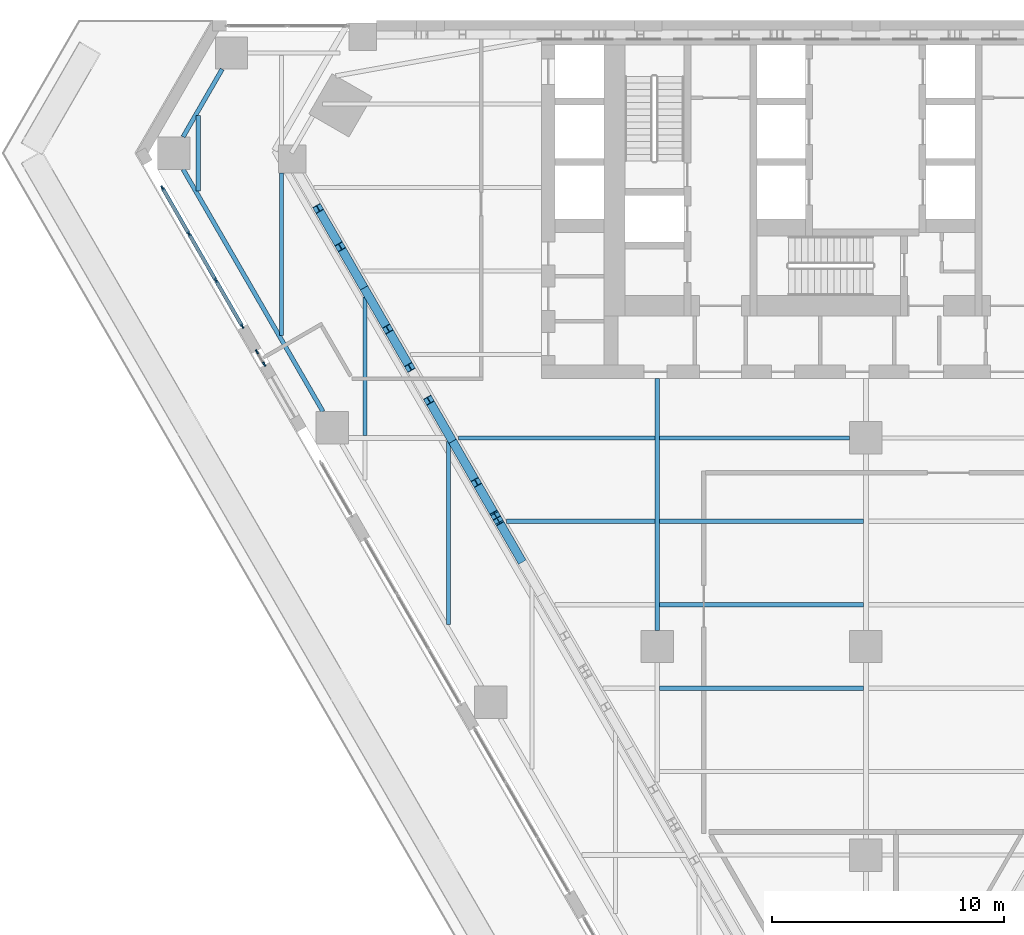
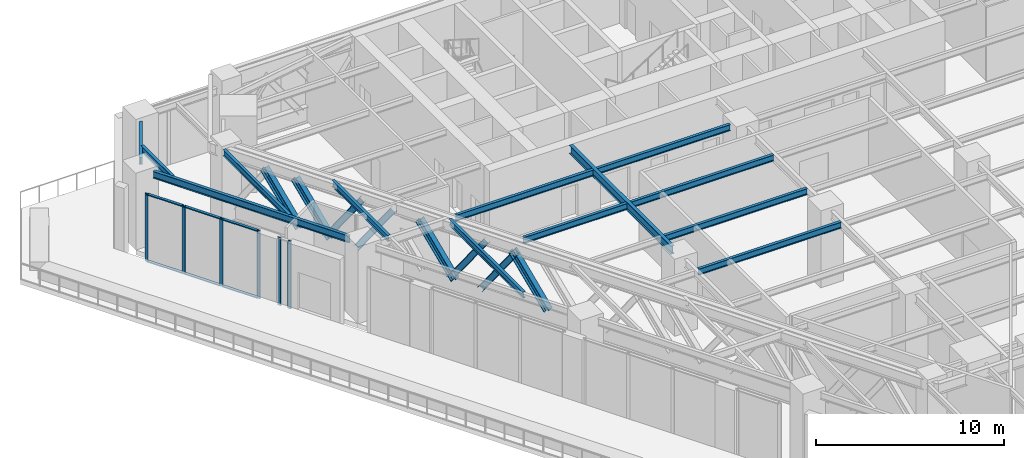
# One storey, part 5 of 25: 20 members, 13 beams, 2 elements without a shape of their own.
"""IFC4 building model written with IfcOpenShell, lengths in metres."""

import ifcopenshell
import ifcopenshell.guid

model = None  # the IFC model being written
_history = None  # IfcOwnerHistory: only IFC2X3 demands one
_inside = {}  # id of a spatial element -> (the spatial element, [elements in it])
_under = {}  # id of a project, library or spatial element -> (it, [spatial elements below it])
_declared = {}  # id of a project -> (the project, [libraries it declares])
_typed = {}  # id of a type object -> (the type object, [elements of that type])
_made_of = {}  # id of a material, layer set ... -> (it, [elements and type objects made of it])


def new_model(schema):
    """Start an empty IFC model of exactly this schema.

    Asked for "IFC4X3", IfcOpenShell would pick the latest addendum, in which some entities
    have other attributes; the version numbers below select the first issue.
    IFC2X3 requires an IfcOwnerHistory on every rooted entity: one is made here for all.
    """
    global model, _history
    if schema == "IFC4X3":
        model = ifcopenshell.file(schema_version=(4, 3, 0, 0))
    else:
        model = ifcopenshell.file(schema=schema)
    _inside.clear()
    _under.clear()
    _declared.clear()
    _typed.clear()
    _made_of.clear()
    _history = None
    if model.schema == "IFC2X3":
        org = make("IfcOrganization", Name="unknown")
        user = make(
            "IfcPersonAndOrganization",
            ThePerson=make("IfcPerson", FamilyName="unknown"),
            TheOrganization=org,
        )
        app = make(
            "IfcApplication",
            ApplicationDeveloper=org,
            Version="unknown",
            ApplicationFullName="unknown",
            ApplicationIdentifier="unknown",
        )
        _history = make(
            "IfcOwnerHistory",
            OwningUser=user,
            OwningApplication=app,
            ChangeAction="ADDED",
            CreationDate=0,
        )
    return model


def make(cls, **values):
    """One entity of the class cls with the attributes given. An attribute that is None is left unset."""
    return model.create_entity(
        cls, **{name: value for name, value in values.items() if value is not None}
    )


def rooted(cls, **values):
    """An entity with a GlobalId (a new one), such as an element, a storey or a relation."""
    return make(cls, GlobalId=ifcopenshell.guid.new(), OwnerHistory=_history, **values)


def si_unit(unit_type, name, prefix=None):
    """IfcSIUnit, for example si_unit("LENGTHUNIT", "METRE", prefix="MILLI")."""
    return make("IfcSIUnit", UnitType=unit_type, Prefix=prefix, Name=name)


def assignment(units):
    """IfcUnitAssignment: the units of a project."""
    return None if units is None else make("IfcUnitAssignment", Units=units)


def point(xyz):
    """IfcCartesianPoint."""
    return None if xyz is None else make("IfcCartesianPoint", Coordinates=xyz)


def direction(xyz):
    """IfcDirection."""
    return None if xyz is None else make("IfcDirection", DirectionRatios=xyz)


def frame(location, z_axis=None, x_axis=None):
    """IfcAxis2Placement3D, a coordinate frame: its origin and axes. An axis left out is left unset."""
    return make(
        "IfcAxis2Placement3D",
        Location=point(location),
        Axis=direction(z_axis),
        RefDirection=direction(x_axis),
    )


def frame_2d(location, x_axis=None):
    """IfcAxis2Placement2D, a coordinate frame in the plane: its origin and x axis."""
    return make(
        "IfcAxis2Placement2D", Location=point(location), RefDirection=direction(x_axis)
    )


def origin():
    """The frame at (0, 0, 0) with its axes left unset."""
    return frame((0.0, 0.0, 0.0))


def origin_2d():
    """The frame at (0, 0) in the plane with its x axis left unset."""
    return frame_2d((0.0, 0.0))


def place(relative_to, where):
    """IfcLocalPlacement: puts the frame where relative to a parent placement (None: the world)."""
    return make(
        "IfcLocalPlacement", PlacementRelTo=relative_to, RelativePlacement=where
    )


def context(
    kind, dimensions, precision=None, world=None, true_north=None, identifier=None
):
    """IfcGeometricRepresentationContext, for example the 3D "Model" context."""
    return make(
        "IfcGeometricRepresentationContext",
        ContextIdentifier=identifier,
        ContextType=kind,
        CoordinateSpaceDimension=dimensions,
        Precision=precision,
        WorldCoordinateSystem=world,
        TrueNorth=true_north,
    )


def subcontext(parent, identifier, kind, view, scale=None):
    """IfcGeometricRepresentationSubContext, for example "Body" below "Model"."""
    return make(
        "IfcGeometricRepresentationSubContext",
        ContextIdentifier=identifier,
        ContextType=kind,
        ParentContext=parent,
        TargetScale=scale,
        TargetView=view,
    )


def project(units=None, contexts=None):
    """IfcProject with its units and contexts."""
    return rooted(
        "IfcProject",
        Name="project",
        RepresentationContexts=contexts,
        UnitsInContext=assignment(units),
    )


def spatial(cls, under=None, at=None, **own):
    """A site, building, storey or space (cls), placed at a placement, below another one or the project."""
    s = rooted(cls, ObjectPlacement=at, **own)
    if under is not None:
        _under.setdefault(under.id(), (under, []))[1].append(s)
    return s


def profile(cls, at=None, kind="AREA", **sizes):
    """A parametric profile (cls). Its sizes go by their IFC names, for example OverallWidth=200.0."""
    return make(cls, ProfileType=kind, Position=at, **sizes)


def rectangle(**sizes):
    """IfcRectangleProfileDef."""
    return profile("IfcRectangleProfileDef", **sizes)


def i_section(**sizes):
    """IfcIShapeProfileDef."""
    return profile("IfcIShapeProfileDef", **sizes)


def extrude(swept, where, along, depth):
    """IfcExtrudedAreaSolid: the profile swept, set in the frame where, extruded along a direction by depth."""
    return make(
        "IfcExtrudedAreaSolid",
        SweptArea=swept,
        Position=where,
        ExtrudedDirection=direction(along),
        Depth=depth,
    )


def shape(context_of_items, identifier, shape_type, items):
    """IfcShapeRepresentation: the items that make up one representation, for example the "Body"."""
    return make(
        "IfcShapeRepresentation",
        ContextOfItems=context_of_items,
        RepresentationIdentifier=identifier,
        RepresentationType=shape_type,
        Items=items,
    )


def material(Name=None, Category=None):
    """IfcMaterial."""
    return make("IfcMaterial", Name=Name, Category=Category)


def material_profile(
    of_material, cross_section, Name=None, Category=None, Priority=None
):
    """IfcMaterialProfile: a cross section and its material."""
    return make(
        "IfcMaterialProfile",
        Name=Name,
        Material=of_material,
        Profile=cross_section,
        Priority=Priority,
        Category=Category,
    )


def profile_set(profiles, Name=None, composite=None):
    """IfcMaterialProfileSet."""
    return make(
        "IfcMaterialProfileSet",
        Name=Name,
        MaterialProfiles=profiles,
        CompositeProfile=composite,
    )


def made_of(thing, what):
    """Note that an element or type object is made of a material, layer set ...; save() writes the relation."""
    if what is not None:
        _made_of.setdefault(what.id(), (what, []))[1].append(thing)
    return thing


def type_object(cls, material=None, **own):
    """A type object (cls), such as IfcWallType, which elements share."""
    return made_of(rooted(cls, **own), material)


def element(
    cls,
    number,
    at=None,
    inside=None,
    cuts=None,
    type_object=None,
    material=None,
    context=None,
    identifier="Body",
    shape_type=None,
    held_by="IfcProductDefinitionShape",
    body=None,
    shapes=None,
    **own,
):
    """One element of the class cls, such as IfcWall. Its Tag is "e" and its number.

    at: its placement. inside: the storey or other place that contains it. cuts: it is an
    opening in that element (IfcRelVoidsElement). A single representation is given by context,
    identifier, shape_type and body (its items); several are given by shapes. held_by: the class
    of the entity that holds the representations. save() writes the other relations.
    """
    e = rooted(cls, Tag="e%d" % number, ObjectPlacement=at, **own)
    if body is not None:
        shapes = [shape(context, identifier, shape_type, body)]
    if shapes is not None:
        e.Representation = make(held_by, Representations=shapes)
    if inside is not None:
        _inside.setdefault(inside.id(), (inside, []))[1].append(e)
    if cuts is not None:
        rooted(
            "IfcRelVoidsElement", RelatingBuildingElement=cuts, RelatedOpeningElement=e
        )
    if type_object is not None:
        _typed.setdefault(type_object.id(), (type_object, []))[1].append(e)
    return made_of(e, material)


def aggregate(whole, parts):
    """IfcRelAggregates: a whole, such as a stair, and the parts it consists of."""
    return rooted("IfcRelAggregates", RelatingObject=whole, RelatedObjects=parts)


def save(model, path):
    """Write the relations noted so far, then the file.

    IfcRelAggregates (storeys below a building ...), IfcRelContainedInSpatialStructure (elements
    in a storey), IfcRelDefinesByType, IfcRelAssociatesMaterial and IfcRelDeclares: one each for
    every whole, place, type object, material and project.
    """
    for whole, parts in _under.values():
        aggregate(whole, parts)
    for where, things in _inside.values():
        rooted(
            "IfcRelContainedInSpatialStructure",
            RelatedElements=things,
            RelatingStructure=where,
        )
    for kind, things in _typed.values():
        rooted("IfcRelDefinesByType", RelatedObjects=things, RelatingType=kind)
    for what, things in _made_of.values():
        rooted("IfcRelAssociatesMaterial", RelatedObjects=things, RelatingMaterial=what)
    for by, libraries in _declared.values():
        rooted("IfcRelDeclares", RelatingContext=by, RelatedDefinitions=libraries)
    model.write(path)


model = new_model("IFC4")

# Units and contexts
model_context = context("Model", 3, precision=1e-05, world=origin(), true_north=direction((0.0, 1.0)))
body_context = subcontext(model_context, "Body", "Model", "MODEL_VIEW")
ifc_project = project(units=[si_unit("LENGTHUNIT", "METRE"), si_unit("AREAUNIT", "SQUARE_METRE"), si_unit("VOLUMEUNIT", "CUBIC_METRE"), si_unit("PLANEANGLEUNIT", "RADIAN"), si_unit("MASSUNIT", "GRAM", prefix="KILO")], contexts=[model_context])

# Site, building, storey
site_placement = place(None, origin())
site = spatial("IfcSite", under=ifc_project, at=site_placement, CompositionType="ELEMENT")
building_placement = place(site_placement, origin())
building = spatial("IfcBuilding", under=site, at=building_placement, Name="Aloe Facet Convention Tower", CompositionType="ELEMENT")
storey_placement = place(building_placement, frame((0.0, 0.0, 30.0)))
storey = spatial("IfcBuildingStorey", under=building, at=storey_placement, Name="L05", CompositionType="ELEMENT", Elevation=30.0)

# Curtain wall, members
ifc_material_1 = material(Name="Aluminium, anodised", Category="aluminium")
curtain_wall_type = type_object("IfcCurtainWallType", Name="EV-CW-HALL", PredefinedType="USERDEFINED", material=ifc_material_1)
curtain_wall_1_placement = place(storey_placement, origin())
curtain_wall_1 = element("IfcCurtainWall", 1, at=curtain_wall_1_placement, inside=storey, type_object=curtain_wall_type, Name="CW-L05-W02", ObjectType="UNITISED HALL GLAZING", PredefinedType="USERDEFINED")
ifc_material_2 = material(Name="Aluminium, anodised", Category="aluminium")
ifc_material_profile_1 = material_profile(ifc_material_2, rectangle(XDim=0.06494140625, YDim=0.199951171875, at=origin_2d()), Name="AL 65x200")
ifc_profile_set_1 = profile_set([ifc_material_profile_1], Name="Aluminium, anodised")
member_type_1 = type_object("IfcMemberType", Name="EV-MULL-HALL", PredefinedType="MULLION", material=ifc_profile_set_1)
member_1_placement = place(storey_placement, frame((49.654052734375, 127.78125, -0.300048828125), z_axis=(0.0, 0.0, 1.0), x_axis=(0.866025403741, 0.500000000076, 0.0)))
member_1 = element("IfcMember", 2, at=member_1_placement, type_object=member_type_1, Name="CW-L05-W02 mullion 1", PredefinedType="MULLION", context=body_context, shape_type="SweptSolid", body=[
    extrude(rectangle(XDim=0.06494140625, YDim=0.199951171875, at=origin_2d()), origin(), (0.0, 0.0, 1.0), 4.41259765625),
])
member_2_placement = place(storey_placement, frame((50.797607421875, 125.80078125, -0.300048828125), z_axis=(0.0, 0.0, 1.0), x_axis=(0.866025403741, 0.500000000076, 0.0)))
member_2 = element("IfcMember", 3, at=member_2_placement, type_object=member_type_1, Name="CW-L05-W02 mullion 2", PredefinedType="MULLION", context=body_context, shape_type="SweptSolid", body=[
    extrude(rectangle(XDim=0.06494140625, YDim=0.199951171875, at=origin_2d()), origin(), (0.0, 0.0, 1.0), 4.41259765625),
])
member_3_placement = place(storey_placement, frame((51.957275390625, 123.7919921875, -0.300048828125), z_axis=(0.0, 0.0, 1.0), x_axis=(0.866025403741, 0.500000000076, 0.0)))
member_3 = element("IfcMember", 4, at=member_3_placement, type_object=member_type_1, Name="CW-L05-W02 mullion 3", PredefinedType="MULLION", context=body_context, shape_type="SweptSolid", body=[
    extrude(rectangle(XDim=0.06494140625, YDim=0.199951171875, at=origin_2d()), origin(), (0.0, 0.0, 1.0), 4.41259765625),
])
member_4_placement = place(storey_placement, frame((53.1005859375, 121.8115234375, -0.300048828125), z_axis=(0.0, 0.0, 1.0), x_axis=(0.866025403741, 0.500000000076, 0.0)))
member_4 = element("IfcMember", 5, at=member_4_placement, type_object=member_type_1, Name="CW-L05-W02 mullion 4", PredefinedType="MULLION", context=body_context, shape_type="SweptSolid", body=[
    extrude(rectangle(XDim=0.06494140625, YDim=0.199951171875, at=origin_2d()), origin(), (0.0, 0.0, 1.0), 4.41259765625),
])

curtain_wall_2_placement = place(storey_placement, origin())
curtain_wall_2 = element("IfcCurtainWall", 6, at=curtain_wall_2_placement, inside=storey, type_object=curtain_wall_type, Name="CW-L05-W04A", ObjectType="UNITISED HALL GLAZING", PredefinedType="USERDEFINED")
member_5_placement = place(storey_placement, frame((53.733154296875, 120.716064453125, -0.300048828125), z_axis=(0.0, 0.0, 1.0), x_axis=(0.86602540354, 0.500000000423, 0.0)))
member_5 = element("IfcMember", 7, at=member_5_placement, type_object=member_type_1, Name="CW-L05-W04A mullion 1", PredefinedType="MULLION", context=body_context, shape_type="SweptSolid", body=[
    extrude(rectangle(XDim=0.06494140625, YDim=0.199951171875, at=origin_2d()), origin(), (0.0, 0.0, 1.0), 4.41259765625),
])
member_6_placement = place(storey_placement, frame((54.048583984375, 120.169921875, -0.300048828125), z_axis=(0.0, 0.0, 1.0), x_axis=(0.86602540354, 0.500000000423, 0.0)))
member_6 = element("IfcMember", 8, at=member_6_placement, type_object=member_type_1, Name="CW-L05-W04A mullion 2", PredefinedType="MULLION", context=body_context, shape_type="SweptSolid", body=[
    extrude(rectangle(XDim=0.06494140625, YDim=0.199951171875, at=origin_2d()), origin(), (0.0, 0.0, 1.0), 4.41259765625),
])
aggregate(curtain_wall_2, [member_5, member_6])

# Member
ifc_material_3 = material(Name="Aluminium, anodised", Category="aluminium")
ifc_material_profile_2 = material_profile(ifc_material_3, rectangle(XDim=0.159912109375, YDim=0.06494140625, at=origin_2d()), Name="AL 160x65")
ifc_profile_set_2 = profile_set([ifc_material_profile_2], Name="Aluminium, anodised")
member_type_2 = type_object("IfcMemberType", Name="EV-TRAN-HALL", PredefinedType="USERDEFINED", material=ifc_profile_set_2)
member_7_placement = place(storey_placement, frame((49.67041015625, 127.7529296875, -0.267578125), z_axis=(0.499991966744, -0.866030041738, 0.0), x_axis=(0.866030041738, 0.499991966744, 0.0)))
member_7 = element("IfcMember", 9, at=member_7_placement, type_object=member_type_2, Name="CW-L05-W02 transom 1.1", ObjectType="TRANSOM", PredefinedType="USERDEFINED", context=body_context, shape_type="SweptSolid", body=[
    extrude(rectangle(XDim=0.159912109375, YDim=0.06494140625, at=origin_2d()), origin(), (0.0, 0.0, 1.0), 2.2216796875),
])

member_8_placement = place(storey_placement, frame((49.67041015625, 127.7529296875, 4.080078125), z_axis=(0.499991966744, -0.866030041738, 0.0), x_axis=(0.866030041738, 0.499991966744, 0.0)))
member_8 = element("IfcMember", 10, at=member_8_placement, type_object=member_type_2, Name="CW-L05-W02 transom 1.2", ObjectType="TRANSOM", PredefinedType="USERDEFINED", context=body_context, shape_type="SweptSolid", body=[
    extrude(rectangle(XDim=0.159912109375, YDim=0.06494140625, at=origin_2d()), origin(), (0.0, 0.0, 1.0), 2.2216796875),
])

member_9_placement = place(storey_placement, frame((50.813720703125, 125.7724609375, -0.267578125), z_axis=(0.499994306202, -0.866028691075, 0.0), x_axis=(0.866028691075, 0.499994306202, 0.0)))
member_9 = element("IfcMember", 11, at=member_9_placement, type_object=member_type_2, Name="CW-L05-W02 transom 2.1", ObjectType="TRANSOM", PredefinedType="USERDEFINED", context=body_context, shape_type="SweptSolid", body=[
    extrude(rectangle(XDim=0.159912109375, YDim=0.06494140625, at=origin_2d()), origin(), (0.0, 0.0, 1.0), 2.25439453125),
])

member_10_placement = place(storey_placement, frame((50.813720703125, 125.7724609375, 4.080078125), z_axis=(0.499994306202, -0.866028691075, 0.0), x_axis=(0.866028691075, 0.499994306202, 0.0)))
member_10 = element("IfcMember", 12, at=member_10_placement, type_object=member_type_2, Name="CW-L05-W02 transom 2.2", ObjectType="TRANSOM", PredefinedType="USERDEFINED", context=body_context, shape_type="SweptSolid", body=[
    extrude(rectangle(XDim=0.159912109375, YDim=0.06494140625, at=origin_2d()), origin(), (0.0, 0.0, 1.0), 2.25439453125),
])

member_11_placement = place(storey_placement, frame((51.973388671875, 123.763916015625, -0.267578125), z_axis=(0.500026795713, -0.86600993272, 0.0), x_axis=(0.86600993272, 0.500026795713, 0.0)))
member_11 = element("IfcMember", 13, at=member_11_placement, type_object=member_type_2, Name="CW-L05-W02 transom 3.1", ObjectType="TRANSOM", PredefinedType="USERDEFINED", context=body_context, shape_type="SweptSolid", body=[
    extrude(rectangle(XDim=0.159912109375, YDim=0.06494140625, at=origin_2d()), origin(), (0.0, 0.0, 1.0), 2.22216796875),
])

member_12_placement = place(storey_placement, frame((51.973388671875, 123.763916015625, 4.080078125), z_axis=(0.500026795713, -0.86600993272, 0.0), x_axis=(0.86600993272, 0.500026795713, 0.0)))
member_12 = element("IfcMember", 14, at=member_12_placement, type_object=member_type_2, Name="CW-L05-W02 transom 3.2", ObjectType="TRANSOM", PredefinedType="USERDEFINED", context=body_context, shape_type="SweptSolid", body=[
    extrude(rectangle(XDim=0.159912109375, YDim=0.06494140625, at=origin_2d()), origin(), (0.0, 0.0, 1.0), 2.22216796875),
])

aggregate(curtain_wall_1, [member_1, member_2, member_3, member_4, member_7, member_8, member_9, member_10, member_11, member_12])

# Beams
ifc_material_4 = material(Name="Steel S355", Category="steel")
ifc_material_profile_3 = material_profile(ifc_material_4, i_section(OverallWidth=0.177734375, OverallDepth=0.402587890625, WebThickness=0.0078125, FlangeThickness=0.010986328125, FilletRadius=0.01025390625, at=origin_2d()), Name="UB 406x178x54")
ifc_profile_set_3 = profile_set([ifc_material_profile_3], Name="Steel S355")
beam_type_1 = type_object("IfcBeamType", Name="SF-B-UB406x178x54", PredefinedType="BEAM", material=ifc_profile_set_3)
beam_1_placement = place(storey_placement, frame((51.199951171875, 127.653564453125, 4.5986328125), z_axis=(0.0, 1.0, 0.0), x_axis=(-1.0, 0.0, 0.0)))
element("IfcBeam", 15, at=beam_1_placement, inside=storey, type_object=beam_type_1, Name="Floor beam FB-L06-818", PredefinedType="BEAM", context=body_context, shape_type="SweptSolid", body=[
    extrude(i_section(OverallWidth=0.177734375, OverallDepth=0.402587890625, WebThickness=0.0078125, FlangeThickness=0.010986328125, FilletRadius=0.01025390625, at=origin_2d()), origin(), (0.0, 0.0, 1.0), 3.261474609375),
])
beam_2_placement = place(storey_placement, frame((54.800048828125, 121.418212890625, 4.5986328125), z_axis=(0.0, 1.0, 0.0), x_axis=(-1.0, 0.0, 0.0)))
element("IfcBeam", 16, at=beam_2_placement, inside=storey, type_object=beam_type_1, Name="Floor beam FB-L06-819", PredefinedType="BEAM", context=body_context, shape_type="SweptSolid", body=[
    extrude(i_section(OverallWidth=0.177734375, OverallDepth=0.402587890625, WebThickness=0.0078125, FlangeThickness=0.010986328125, FilletRadius=0.01025390625, at=origin_2d()), origin(), (0.0, 0.0, 1.0), 7.009765625),
])
beam_3_placement = place(storey_placement, frame((58.39990234375, 117.10546875, 4.5986328125), z_axis=(0.0, 1.0, 0.0), x_axis=(-1.0, 0.0, 0.0)))
element("IfcBeam", 17, at=beam_3_placement, inside=storey, type_object=beam_type_1, Name="Floor beam FB-L06-822", PredefinedType="BEAM", context=body_context, shape_type="SweptSolid", body=[
    extrude(i_section(OverallWidth=0.177734375, OverallDepth=0.402587890625, WebThickness=0.0078125, FlangeThickness=0.010986328125, FilletRadius=0.01025390625, at=origin_2d()), origin(), (0.0, 0.0, 1.0), 5.9619140625),
])
beam_4_placement = place(storey_placement, frame((62.0, 108.947265625, 4.5986328125), z_axis=(0.0, 1.0, 0.0), x_axis=(-1.0, 0.0, 0.0)))
element("IfcBeam", 18, at=beam_4_placement, inside=storey, type_object=beam_type_1, Name="Floor beam FB-L06-823", PredefinedType="BEAM", context=body_context, shape_type="SweptSolid", body=[
    extrude(i_section(OverallWidth=0.177734375, OverallDepth=0.402587890625, WebThickness=0.0078125, FlangeThickness=0.010986328125, FilletRadius=0.01025390625, at=origin_2d()), origin(), (0.0, 0.0, 1.0), 7.884765625),
])
beam_5_placement = place(storey_placement, frame((62.429931640625, 117.0, 4.5986328125), z_axis=(1.0, 0.0, 0.0), x_axis=(0.0, 1.0, 0.0)))
element("IfcBeam", 19, at=beam_5_placement, inside=storey, type_object=beam_type_1, Name="Floor beam FB-Z1A-021", PredefinedType="BEAM", context=body_context, shape_type="SweptSolid", body=[
    extrude(i_section(OverallWidth=0.177734375, OverallDepth=0.402587890625, WebThickness=0.0078125, FlangeThickness=0.010986328125, FilletRadius=0.01025390625, at=origin_2d()), origin(), (0.0, 0.0, 1.0), 8.464599609375),
])
beam_6_placement = place(storey_placement, frame((64.50830078125, 113.39990234375, 4.5986328125), z_axis=(1.0, 0.0, 0.0), x_axis=(0.0, 1.0, 0.0)))
element("IfcBeam", 20, at=beam_6_placement, inside=storey, type_object=beam_type_1, Name="Floor beam FB-Z1A-022", PredefinedType="BEAM", context=body_context, shape_type="SweptSolid", body=[
    extrude(i_section(OverallWidth=0.177734375, OverallDepth=0.402587890625, WebThickness=0.0078125, FlangeThickness=0.010986328125, FilletRadius=0.01025390625, at=origin_2d()), origin(), (0.0, 0.0, 1.0), 6.38623046875),
])
for number, where, z_axis, x_axis, name in (
    (21, (71.10546875, 106.199951171875, 4.5986328125), (1.0, 0.0, 0.0), (0.0, 1.0, 0.0), "Floor beam FB-Z1A-026"),
    (22, (71.10546875, 109.800048828125, 4.5986328125), (1.0, 0.0, 0.0), (0.0, 1.0, 0.0), "Floor beam FB-Z1A-027"),
    (23, (71.10546875, 113.39990234375, 4.5986328125), (1.0, 0.0, 0.0), (0.0, 1.0, 0.0), "Floor beam FB-Z1A-028"),
):
    element("IfcBeam", number, at=place(storey_placement, frame(where, z_axis=z_axis, x_axis=x_axis)), inside=storey, type_object=beam_type_1, Name=name, PredefinedType="BEAM", context=body_context, shape_type="SweptSolid", body=[
        extrude(i_section(OverallWidth=0.177734375, OverallDepth=0.402587890625, WebThickness=0.0078125, FlangeThickness=0.010986328125, FilletRadius=0.01025390625, at=origin_2d()), origin(), (0.0, 0.0, 1.0), 8.7890625),
    ])
beam_7_placement = place(storey_placement, frame((71.10546875, 117.0, 4.5986328125), z_axis=(1.0, 0.0, 0.0), x_axis=(0.0, 1.0, 0.0)))
element("IfcBeam", 24, at=beam_7_placement, inside=storey, type_object=beam_type_1, Name="Floor beam FB-Z1A-029", PredefinedType="BEAM", context=body_context, shape_type="SweptSolid", body=[
    extrude(i_section(OverallWidth=0.177734375, OverallDepth=0.402587890625, WebThickness=0.0078125, FlangeThickness=0.010986328125, FilletRadius=0.01025390625, at=origin_2d()), origin(), (0.0, 0.0, 1.0), 8.194580078125),
])
ifc_material_5 = material(Name="Steel S355", Category="steel")
ifc_material_profile_4 = material_profile(ifc_material_5, i_section(OverallWidth=0.18994140625, OverallDepth=0.453369140625, WebThickness=0.008544921875, FlangeThickness=0.0126953125, FilletRadius=0.01025390625, at=origin_2d()), Name="UB 457x191x67")
ifc_profile_set_4 = profile_set([ifc_material_profile_4], Name="Steel S355")
beam_type_2 = type_object("IfcBeamType", Name="SF-B-UB457x191x67", PredefinedType="BEAM", material=ifc_profile_set_4)
beam_8_placement = place(storey_placement, frame((50.547119140625, 129.98388671875, 4.5732421875), z_axis=(0.500006981563, 0.86602137294, 0.0), x_axis=(-0.86602137294, 0.500006981563, 0.0)))
element("IfcBeam", 25, at=beam_8_placement, inside=storey, type_object=beam_type_2, Name="Floor beam FB-L06-801", PredefinedType="BEAM", context=body_context, shape_type="SweptSolid", body=[
    extrude(i_section(OverallWidth=0.18994140625, OverallDepth=0.453369140625, WebThickness=0.008544921875, FlangeThickness=0.0126953125, FilletRadius=0.01025390625, at=origin_2d()), origin(), (0.0, 0.0, 1.0), 3.3671875),
])
beam_9_placement = place(storey_placement, frame((56.580078125, 118.135009765625, 4.5732421875), z_axis=(-0.49999978494, 0.86602552795, 0.0), x_axis=(-0.86602552795, -0.49999978494, 0.0)))
element("IfcBeam", 26, at=beam_9_placement, inside=storey, type_object=beam_type_2, Name="Floor beam FB-L06-803", PredefinedType="BEAM", context=body_context, shape_type="SweptSolid", body=[
    extrude(i_section(OverallWidth=0.18994140625, OverallDepth=0.453369140625, WebThickness=0.008544921875, FlangeThickness=0.0126953125, FilletRadius=0.01025390625, at=origin_2d()), origin(), (0.0, 0.0, 1.0), 12.0654296875),
])
ifc_material_6 = material(Name="Steel S355", Category="steel")
ifc_material_profile_5 = material_profile(ifc_material_6, i_section(OverallWidth=0.210693359375, OverallDepth=0.53955078125, WebThickness=0.01171875, FlangeThickness=0.018798828125, FilletRadius=0.0126953125, at=origin_2d()), Name="UB 533x210x109")
ifc_profile_set_5 = profile_set([ifc_material_profile_5], Name="Steel S355")
beam_type_3 = type_object("IfcBeamType", Name="SF-B-UB533x210x109", PredefinedType="BEAM", material=ifc_profile_set_5)
beam_10_placement = place(storey_placement, frame((71.0, 119.550048828125, 4.5302734375), z_axis=(0.0, -1.0, 0.0), x_axis=(1.0, 0.0, 0.0)))
element("IfcBeam", 27, at=beam_10_placement, inside=storey, type_object=beam_type_3, Name="Floor beam FB-Z1A-010", PredefinedType="BEAM", context=body_context, shape_type="SweptSolid", body=[
    extrude(i_section(OverallWidth=0.210693359375, OverallDepth=0.53955078125, WebThickness=0.01171875, FlangeThickness=0.018798828125, FilletRadius=0.0126953125, at=origin_2d()), origin(), (0.0, 0.0, 1.0), 10.85009765625),
])

# Members
ifc_material_7 = material(Name="Steel S355", Category="steel")
ifc_material_profile_6 = material_profile(ifc_material_7, i_section(OverallWidth=0.374755859375, OverallDepth=0.37451171875, WebThickness=0.0166015625, FlangeThickness=0.027099609375, FilletRadius=0.01513671875, at=origin_2d()), Name="UC 356x368x202")
ifc_profile_set_6 = profile_set([ifc_material_profile_6], Name="Steel S355")
member_type_3 = type_object("IfcMemberType", Name="SF-W-UC356x368x202", PredefinedType="BRACE", material=ifc_profile_set_6)
for number, where, z_axis, x_axis, name in (
    (28, (56.37255859375, 126.894287109375, 3.97412109375), (0.285304587634, -0.49418830358, -0.821205950344), (0.866036909293, 0.499980071345, 0.0), "Transfer ring diagonal TW-F2-02"),
    (29, (57.327392578125, 125.240478515625, 3.97412109375), (0.285363086299, -0.49417932374, -0.821191028303), (0.865988583845, 0.500063768584, 0.0), "Transfer ring diagonal TW-F2-03"),
    (30, (58.2822265625, 123.586669921875, 0.825927734375), (0.285363086299, -0.49417932374, 0.821191028303), (0.865988583845, 0.500063768584, 0.0), "Transfer ring diagonal TW-F2-04"),
    (31, (59.2373046875, 121.932861328125, 0.825927734375), (0.285295608397, -0.494236432314, 0.821180104973), (0.866064803699, 0.499931751136, 0.0), "Transfer ring diagonal TW-F2-05"),
    (32, (61.14697265625, 118.625, 3.97412109375), (0.285304587634, -0.49418830358, -0.821205950344), (0.866036909293, 0.499980071345, 0.0), "Transfer ring diagonal TW-F2-07"),
    (33, (62.101806640625, 116.97119140625, 0.825927734375), (0.285304587634, -0.49418830358, 0.821205950344), (0.866036909293, 0.499980071345, 0.0), "Transfer ring diagonal TW-F2-08"),
    (34, (63.056640625, 115.317138671875, 0.825927734375), (0.285304587634, -0.49418830358, 0.821205950344), (0.866036909293, 0.499980071345, 0.0), "Transfer ring diagonal TW-F2-09"),
    (35, (64.011474609375, 113.663330078125, 3.97412109375), (0.285363086299, -0.49417932374, -0.821191028303), (0.865988583845, 0.500063768584, 0.0), "Transfer ring diagonal TW-F2-10"),
):
    element("IfcMember", number, at=place(storey_placement, frame(where, z_axis=z_axis, x_axis=x_axis)), inside=storey, type_object=member_type_3, Name=name, PredefinedType="BRACE", context=body_context, shape_type="SweptSolid", body=[
        extrude(i_section(OverallWidth=0.374755859375, OverallDepth=0.37451171875, WebThickness=0.0166015625, FlangeThickness=0.027099609375, FilletRadius=0.01513671875, at=origin_2d()), origin(), (0.0, 0.0, 1.0), 3.833740234375),
    ])

save(model, "model.ifc")
